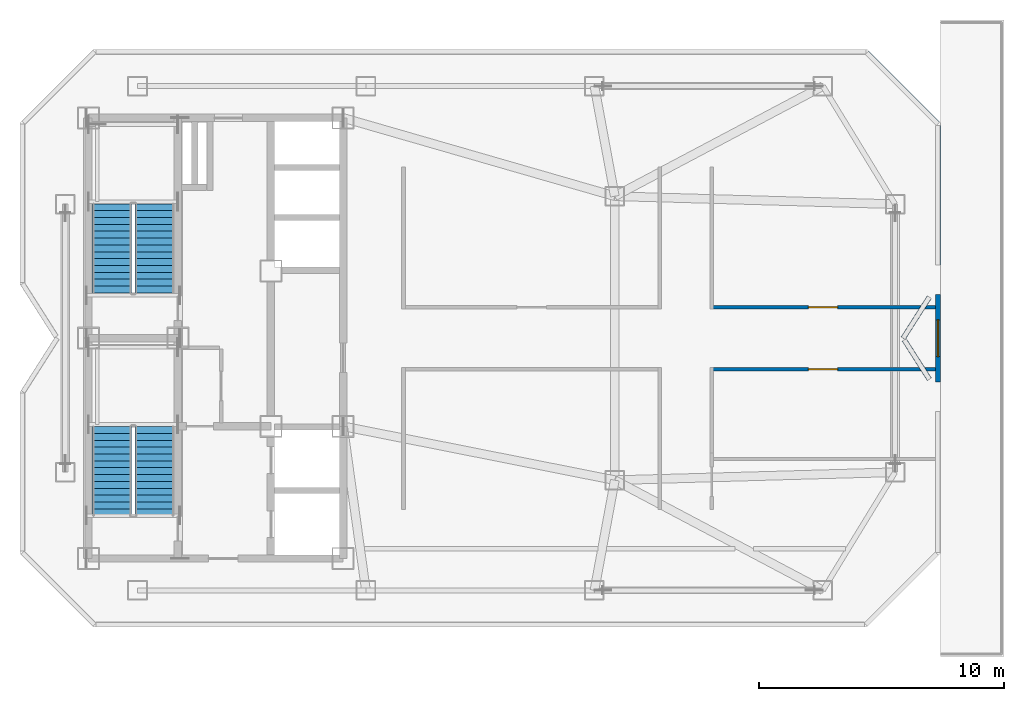
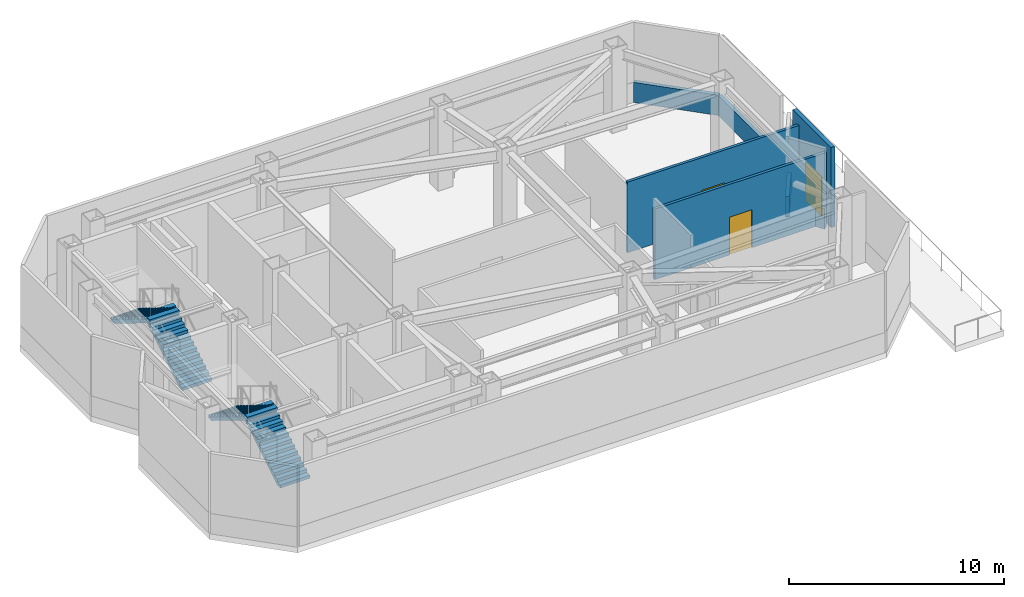
# One storey, part 6 of 10: 7 walls, 4 stair flights, 3 doors, 3 openings, 2 elements without a shape of their own.
"""IFC4 building model written with IfcOpenShell, lengths in metres."""

from ifc_helpers import new_model, si_unit, direction, frame, frame_2d, origin, place, context, subcontext, project, spatial, polyline, rectangle, outline, extrude, material, layer, layer_set, type_object, element, fill, aggregate, save


model = new_model("IFC4")

# Units and contexts
model_context = context("Model", 3, precision=1e-05, world=origin(), true_north=direction((0.0, 1.0)))
body_context = subcontext(model_context, "Body", "Model", "MODEL_VIEW")
ifc_project = project(units=[si_unit("LENGTHUNIT", "METRE"), si_unit("AREAUNIT", "SQUARE_METRE"), si_unit("VOLUMEUNIT", "CUBIC_METRE"), si_unit("PLANEANGLEUNIT", "RADIAN"), si_unit("MASSUNIT", "GRAM", prefix="KILO")], contexts=[model_context])

# Site, building, storey
site_placement = place(None, origin())
site = spatial("IfcSite", under=ifc_project, at=site_placement, CompositionType="ELEMENT")
building_placement = place(site_placement, origin())
building = spatial("IfcBuilding", under=site, at=building_placement, Name="Khamvora Tower", CompositionType="ELEMENT")
storey_placement = place(building_placement, frame((0.0, 0.0, 303.050048828125)))
storey = spatial("IfcBuildingStorey", under=building, at=storey_placement, Name="L77", CompositionType="ELEMENT", Elevation=303.050048828125)

# Wall, opening, door
ifc_material_1 = material(Name="Fire-Rated Drywall and Steel Stud", Category="steel")
ifc_layer_1 = layer(ifc_material_1, 0.14990234375)
ifc_layer_set_1 = layer_set([ifc_layer_1], Name="Fire-Rated Drywall and Steel Stud")
wall_type_1 = type_object("IfcWallType", Name="WAL-CORR-150", PredefinedType="STANDARD", material=ifc_layer_set_1)
wall_1_placement = place(storey_placement, frame((63.60791015625, 26.735107421875, 0.0), z_axis=(0.0, 0.0, 1.0), x_axis=(-1.0, 0.0, 0.0)))
wall_1 = element("IfcWall", 1, at=wall_1_placement, inside=storey, type_object=wall_type_1, Name="L77 interior partition wall 010", PredefinedType="STANDARD", context=body_context, shape_type="SweptSolid", body=[
    extrude(rectangle(XDim=9.2080078125, YDim=0.14990234375, at=frame_2d((4.60400390625, 0.0))), origin(), (0.0, 0.0, 1.0), 4.0068359375),
])
opening_1_placement = place(wall_1_placement, frame((4.00390625, 0.0, 0.0)))
opening_1 = element("IfcOpeningElement", 2, at=opening_1_placement, cuts=wall_1, Name="Opening D-PL1", PredefinedType="OPENING", context=body_context, shape_type="SweptSolid", body=[
    extrude(rectangle(XDim=1.199951171875, YDim=2.14990234375, at=frame_2d((0.60009765625, 1.074951171875))), frame((0.0, 0.0849609375, 0.0), z_axis=(0.0, -1.0, 0.0), x_axis=(1.0, 0.0, 0.0)), (0.0, 0.0, 1.0), 0.169921875),
])
ifc_material_2 = material(Name="Powder-Coated Steel and Hardwood Leaf", Category="steel")
door_type_1 = type_object("IfcDoorType", Name="DOR-PLNT-1200", OperationType="NOTDEFINED", PredefinedType="DOOR", material=ifc_material_2)
door_1_placement = place(opening_1_placement, origin())
door_1 = element("IfcDoor", 3, at=door_1_placement, inside=storey, type_object=door_type_1, Name="L77 interior door PCOR-ELP", OperationType="SINGLE_SWING_LEFT", OverallHeight=2.14990234375, OverallWidth=1.199951171875, PredefinedType="DOOR", context=body_context, shape_type="SweptSolid", body=[
    extrude(rectangle(XDim=1.199951171875, YDim=2.14990234375, at=frame_2d((0.60009765625, 1.074951171875))), frame((0.0, 0.02490234375, 0.0), z_axis=(0.0, -1.0, 0.0), x_axis=(1.0, 0.0, 0.0)), (0.0, 0.0, 1.0), 0.050048828125),
])
fill(opening_1, door_1)

wall_2_placement = place(storey_placement, frame((54.39990234375, 29.264892578125, 0.0), z_axis=(0.0, 0.0, 1.0), x_axis=(1.0, 0.0, 0.0)))
wall_2 = element("IfcWall", 4, at=wall_2_placement, inside=storey, type_object=wall_type_1, Name="L77 interior partition wall 013", PredefinedType="STANDARD", context=body_context, shape_type="SweptSolid", body=[
    extrude(rectangle(XDim=9.2080078125, YDim=0.14990234375, at=frame_2d((4.60400390625, 0.0))), origin(), (0.0, 0.0, 1.0), 4.0068359375),
])
opening_2_placement = place(wall_2_placement, frame((4.00390625, 0.0, 0.0)))
opening_2 = element("IfcOpeningElement", 5, at=opening_2_placement, cuts=wall_2, Name="Opening D-PL1", PredefinedType="OPENING", context=body_context, shape_type="SweptSolid", body=[
    extrude(rectangle(XDim=1.199951171875, YDim=2.14990234375, at=frame_2d((0.60009765625, 1.074951171875))), frame((0.0, 0.0849609375, 0.0), z_axis=(0.0, -1.0, 0.0), x_axis=(1.0, 0.0, 0.0)), (0.0, 0.0, 1.0), 0.169921875),
])
door_2_placement = place(opening_2_placement, origin())
door_2 = element("IfcDoor", 6, at=door_2_placement, inside=storey, type_object=door_type_1, Name="L77 interior door PCOR-SMK", OperationType="SINGLE_SWING_RIGHT", OverallHeight=2.14990234375, OverallWidth=1.199951171875, PredefinedType="DOOR", context=body_context, shape_type="SweptSolid", body=[
    extrude(rectangle(XDim=1.199951171875, YDim=2.14990234375, at=frame_2d((0.60009765625, 1.074951171875))), frame((0.0, 0.02490234375, 0.0), z_axis=(0.0, -1.0, 0.0), x_axis=(1.0, 0.0, 0.0)), (0.0, 0.0, 1.0), 0.050048828125),
])
fill(opening_2, door_2)

# Walls
ifc_material_3 = material(Name="Precast concrete C40/50", Category="concrete")
ifc_layer_2 = layer(ifc_material_3, 0.199951171875)
ifc_layer_set_2 = layer_set([ifc_layer_2], Name="Precast concrete C40/50")
wall_type_2 = type_object("IfcWallType", Name="WAL-EXT-200", PredefinedType="STANDARD", material=ifc_layer_set_2)
wall_3_placement = place(storey_placement, frame((60.802978515625, 39.656005859375, 0.0), z_axis=(0.0, 0.0, 1.0), x_axis=(0.707106781187, -0.707106781187, 0.0)))
element("IfcWall", 7, at=wall_3_placement, inside=storey, type_object=wall_type_2, Name="L77 plant perimeter spandrel wall 08.1", PredefinedType="STANDARD", context=body_context, shape_type="SweptSolid", body=[
    extrude(rectangle(XDim=4.096923828125, YDim=0.199951171875, at=frame_2d((2.04833984375, 0.0))), origin(), (0.0, 0.0, 1.0), 1.14990234375),
])
wall_4_placement = place(storey_placement, frame((63.699951171875, 36.696044921875, 0.0), z_axis=(0.0, 0.0, 1.0), x_axis=(0.0, -1.0, 0.0)))
element("IfcWall", 8, at=wall_4_placement, inside=storey, type_object=wall_type_2, Name="L77 plant perimeter spandrel wall 09.1", PredefinedType="STANDARD", context=body_context, shape_type="SweptSolid", body=[
    extrude(rectangle(XDim=5.696044921875, YDim=0.199951171875, at=frame_2d((2.84814453125, 0.0))), origin(), (0.0, 0.0, 1.0), 1.14990234375),
])
wall_5_placement = place(storey_placement, frame((63.35009765625, 29.678955078125, 0.0), z_axis=(0.0, 0.0, 1.0), x_axis=(-0.537113569059, -0.843509937068, 0.0)))
element("IfcWall", 9, at=wall_5_placement, inside=storey, type_object=wall_type_2, Name="L77 plant perimeter spandrel wall 10.1", PredefinedType="STANDARD", context=body_context, shape_type="SweptSolid", body=[
    extrude(rectangle(XDim=1.990478515625, YDim=0.199951171875, at=frame_2d((0.9951171875, 0.0))), origin(), (0.0, 0.0, 1.0), 1.14990234375),
])
wall_6_placement = place(storey_placement, frame((62.324951171875, 27.930908203125, 0.0), z_axis=(0.0, 0.0, 1.0), x_axis=(0.537132057912, -0.843498163818, 0.0)))
element("IfcWall", 10, at=wall_6_placement, inside=storey, type_object=wall_type_2, Name="L77 plant perimeter spandrel wall 11.1", PredefinedType="STANDARD", context=body_context, shape_type="SweptSolid", body=[
    extrude(rectangle(XDim=1.908447265625, YDim=0.199951171875, at=frame_2d((0.9541015625, 0.0))), origin(), (0.0, 0.0, 1.0), 1.14990234375),
])

# Wall, opening, door
wall_7_placement = place(storey_placement, frame((63.699951171875, 26.219970703125, 0.0), z_axis=(0.0, 0.0, 1.0), x_axis=(0.0, 1.0, 0.0)))
wall_7 = element("IfcWall", 11, at=wall_7_placement, inside=storey, type_object=wall_type_2, Name="L77 east crown terrace portal wall", PredefinedType="STANDARD", context=body_context, shape_type="SweptSolid", body=[
    extrude(rectangle(XDim=3.56005859375, YDim=0.199951171875, at=frame_2d((1.780029296875, 0.0))), origin(), (0.0, 0.0, 1.0), 4.550048828125),
])
opening_3_placement = place(wall_7_placement, frame((1.030029296875, 0.0, 0.0)))
opening_3 = element("IfcOpeningElement", 12, at=opening_3_placement, cuts=wall_7, Name="Opening ED-03", PredefinedType="OPENING", context=body_context, shape_type="SweptSolid", body=[
    extrude(rectangle(XDim=1.5, YDim=2.199951171875, at=frame_2d((0.75, 1.10009765625))), frame((0.0, 0.10986328125, 0.0), z_axis=(0.0, -1.0, 0.0), x_axis=(1.0, 0.0, 0.0)), (0.0, 0.0, 1.0), 0.219970703125),
])
ifc_material_4 = material(Name="Anodised Aluminium and Laminated Safety Glass", Category="aluminium")
door_type_2 = type_object("IfcDoorType", Name="DOR-EXT-1500", OperationType="DOUBLE_DOOR_SINGLE_SWING", PredefinedType="DOOR", material=ifc_material_4)
door_3_placement = place(opening_3_placement, origin())
door_3 = element("IfcDoor", 13, at=door_3_placement, inside=storey, type_object=door_type_2, Name="L77 east crown terrace access double door", OperationType="SINGLE_SWING_LEFT", OverallHeight=2.199951171875, OverallWidth=1.5, PredefinedType="DOOR", context=body_context, shape_type="SweptSolid", body=[
    extrude(rectangle(XDim=1.5, YDim=2.199951171875, at=frame_2d((0.75, 1.10009765625))), frame((0.0, 0.02490234375, 0.0), z_axis=(0.0, -1.0, 0.0), x_axis=(1.0, 0.0, 0.0)), (0.0, 0.0, 1.0), 0.050048828125),
])
fill(opening_3, door_3)

# Stair, stair flights
ifc_material_5 = material(Name="Concrete C40/50", Category="concrete")
stair_type_1 = type_object("IfcStairType", Name="STR-ST-01", PredefinedType="HALF_TURN_STAIR", material=ifc_material_5)
stair_1_placement = place(storey_placement, origin())
stair_1 = element("IfcStair", 14, at=stair_1_placement, inside=storey, type_object=stair_type_1, Name="L77 South Tower Exit Stair ST-01", PredefinedType="HALF_TURN_STAIR")
stair_flight_type_1 = type_object("IfcStairFlightType", Name="STF-ST-01", PredefinedType="STRAIGHT", material=ifc_material_5)
stair_flight_1_placement = place(storey_placement, frame((31.699951171875, 20.75, 0.0), z_axis=(0.0, 0.0, 1.0), x_axis=(0.0, 1.0, 0.0)))
stair_flight_1 = element("IfcStairFlight", 15, at=stair_flight_1_placement, type_object=stair_flight_type_1, Name="ST-01 flight 1", NumberOfRisers=14, NumberOfTreads=13, PredefinedType="STRAIGHT", RiserHeight=0.171428571, TreadLength=0.28, context=body_context, shape_type="SweptSolid", body=[
    extrude(outline(polyline([(0.0, 0.0), (0.0, 0.17138671875), (0.280029296875, 0.17138671875), (0.280029296875, 0.3427734375), (0.56005859375, 0.3427734375), (0.56005859375, 0.514404296875), (0.840087890625, 0.514404296875), (0.840087890625, 0.685791015625), (1.1201171875, 0.685791015625), (1.1201171875, 0.857177734375), (1.39990234375, 0.857177734375), (1.39990234375, 1.028564453125), (1.679931640625, 1.028564453125), (1.679931640625, 1.199951171875), (1.9599609375, 1.199951171875), (1.9599609375, 1.371337890625), (2.239990234375, 1.371337890625), (2.239990234375, 1.54296875), (2.52001953125, 1.54296875), (2.52001953125, 1.71435546875), (2.800048828125, 1.71435546875), (2.800048828125, 1.8857421875), (3.080078125, 1.8857421875), (3.080078125, 2.05712890625), (3.360107421875, 2.05712890625), (3.360107421875, 2.228515625), (3.639892578125, 2.228515625), (3.639892578125, 2.39990234375), (3.639892578125, 2.052734375), (0.287109375, 0.0), (0.0, 0.0)])), frame((0.0, 0.800048828125, 0.0), z_axis=(0.0, -1.0, 0.0), x_axis=(1.0, 0.0, 0.0)), (0.0, 0.0, 1.0), 1.60009765625),
])
stair_flight_2_placement = place(storey_placement, frame((29.949951171875, 24.389892578125, 2.39990234375), z_axis=(0.0, 0.0, 1.0), x_axis=(0.0, -1.0, 0.0)))
stair_flight_2 = element("IfcStairFlight", 16, at=stair_flight_2_placement, type_object=stair_flight_type_1, Name="ST-01 flight 2", NumberOfRisers=14, NumberOfTreads=13, PredefinedType="STRAIGHT", RiserHeight=0.171428571, TreadLength=0.28, context=body_context, shape_type="SweptSolid", body=[
    extrude(outline(polyline([(0.0, 0.0), (0.0, 0.17138671875), (0.280029296875, 0.17138671875), (0.280029296875, 0.3427734375), (0.56005859375, 0.3427734375), (0.56005859375, 0.514404296875), (0.840087890625, 0.514404296875), (0.840087890625, 0.685791015625), (1.1201171875, 0.685791015625), (1.1201171875, 0.857177734375), (1.39990234375, 0.857177734375), (1.39990234375, 1.028564453125), (1.679931640625, 1.028564453125), (1.679931640625, 1.199951171875), (1.9599609375, 1.199951171875), (1.9599609375, 1.371337890625), (2.239990234375, 1.371337890625), (2.239990234375, 1.54296875), (2.52001953125, 1.54296875), (2.52001953125, 1.71435546875), (2.800048828125, 1.71435546875), (2.800048828125, 1.8857421875), (3.080078125, 1.8857421875), (3.080078125, 2.05712890625), (3.360107421875, 2.05712890625), (3.360107421875, 2.228515625), (3.639892578125, 2.228515625), (3.639892578125, 2.39990234375), (3.639892578125, 2.052734375), (0.287109375, 0.0), (0.0, 0.0)])), frame((0.0, 0.800048828125, 0.0), z_axis=(0.0, -1.0, 0.0), x_axis=(1.0, 0.0, 0.0)), (0.0, 0.0, 1.0), 1.60009765625),
])
aggregate(stair_1, [stair_flight_1, stair_flight_2])

stair_type_2 = type_object("IfcStairType", Name="STR-ST-02", PredefinedType="HALF_TURN_STAIR", material=ifc_material_5)
stair_2_placement = place(storey_placement, origin())
stair_2 = element("IfcStair", 17, at=stair_2_placement, inside=storey, type_object=stair_type_2, Name="L77 North Tower Exit Stair ST-02", PredefinedType="HALF_TURN_STAIR")
stair_flight_type_2 = type_object("IfcStairFlightType", Name="STF-ST-02", PredefinedType="STRAIGHT", material=ifc_material_5)
stair_flight_3_placement = place(storey_placement, frame((31.699951171875, 29.85009765625, 0.0), z_axis=(0.0, 0.0, 1.0), x_axis=(0.0, 1.0, 0.0)))
stair_flight_3 = element("IfcStairFlight", 18, at=stair_flight_3_placement, type_object=stair_flight_type_2, Name="ST-02 flight 1", NumberOfRisers=14, NumberOfTreads=13, PredefinedType="STRAIGHT", RiserHeight=0.171428571, TreadLength=0.28, context=body_context, shape_type="SweptSolid", body=[
    extrude(outline(polyline([(0.0, 0.0), (0.0, 0.17138671875), (0.280029296875, 0.17138671875), (0.280029296875, 0.3427734375), (0.56005859375, 0.3427734375), (0.56005859375, 0.514404296875), (0.840087890625, 0.514404296875), (0.840087890625, 0.685791015625), (1.1201171875, 0.685791015625), (1.1201171875, 0.857177734375), (1.39990234375, 0.857177734375), (1.39990234375, 1.028564453125), (1.679931640625, 1.028564453125), (1.679931640625, 1.199951171875), (1.9599609375, 1.199951171875), (1.9599609375, 1.371337890625), (2.239990234375, 1.371337890625), (2.239990234375, 1.54296875), (2.52001953125, 1.54296875), (2.52001953125, 1.71435546875), (2.800048828125, 1.71435546875), (2.800048828125, 1.8857421875), (3.080078125, 1.8857421875), (3.080078125, 2.05712890625), (3.360107421875, 2.05712890625), (3.360107421875, 2.228515625), (3.639892578125, 2.228515625), (3.639892578125, 2.39990234375), (3.639892578125, 2.052734375), (0.287109375, 0.0), (0.0, 0.0)])), frame((0.0, 0.800048828125, 0.0), z_axis=(0.0, -1.0, 0.0), x_axis=(1.0, 0.0, 0.0)), (0.0, 0.0, 1.0), 1.60009765625),
])
stair_flight_4_placement = place(storey_placement, frame((29.949951171875, 33.489990234375, 2.39990234375), z_axis=(0.0, 0.0, 1.0), x_axis=(0.0, -1.0, 0.0)))
stair_flight_4 = element("IfcStairFlight", 19, at=stair_flight_4_placement, type_object=stair_flight_type_2, Name="ST-02 flight 2", NumberOfRisers=14, NumberOfTreads=13, PredefinedType="STRAIGHT", RiserHeight=0.171428571, TreadLength=0.28, context=body_context, shape_type="SweptSolid", body=[
    extrude(outline(polyline([(0.0, 0.0), (0.0, 0.17138671875), (0.280029296875, 0.17138671875), (0.280029296875, 0.3427734375), (0.56005859375, 0.3427734375), (0.56005859375, 0.514404296875), (0.840087890625, 0.514404296875), (0.840087890625, 0.685791015625), (1.1201171875, 0.685791015625), (1.1201171875, 0.857177734375), (1.39990234375, 0.857177734375), (1.39990234375, 1.028564453125), (1.679931640625, 1.028564453125), (1.679931640625, 1.199951171875), (1.9599609375, 1.199951171875), (1.9599609375, 1.371337890625), (2.239990234375, 1.371337890625), (2.239990234375, 1.54296875), (2.52001953125, 1.54296875), (2.52001953125, 1.71435546875), (2.800048828125, 1.71435546875), (2.800048828125, 1.8857421875), (3.080078125, 1.8857421875), (3.080078125, 2.05712890625), (3.360107421875, 2.05712890625), (3.360107421875, 2.228515625), (3.639892578125, 2.228515625), (3.639892578125, 2.39990234375), (3.639892578125, 2.052734375), (0.287109375, 0.0), (0.0, 0.0)])), frame((0.0, 0.800048828125, 0.0), z_axis=(0.0, -1.0, 0.0), x_axis=(1.0, 0.0, 0.0)), (0.0, 0.0, 1.0), 1.60009765625),
])
aggregate(stair_2, [stair_flight_3, stair_flight_4])

save(model, "model.ifc")
